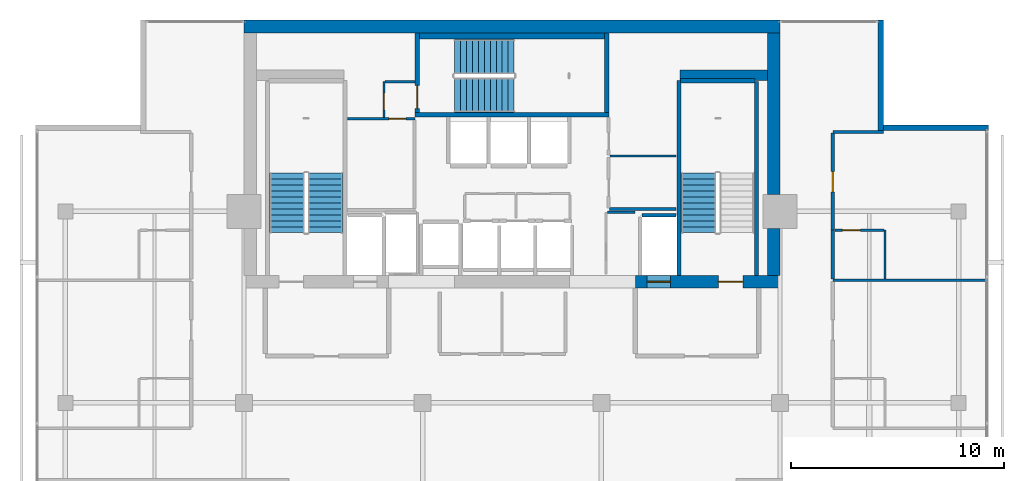
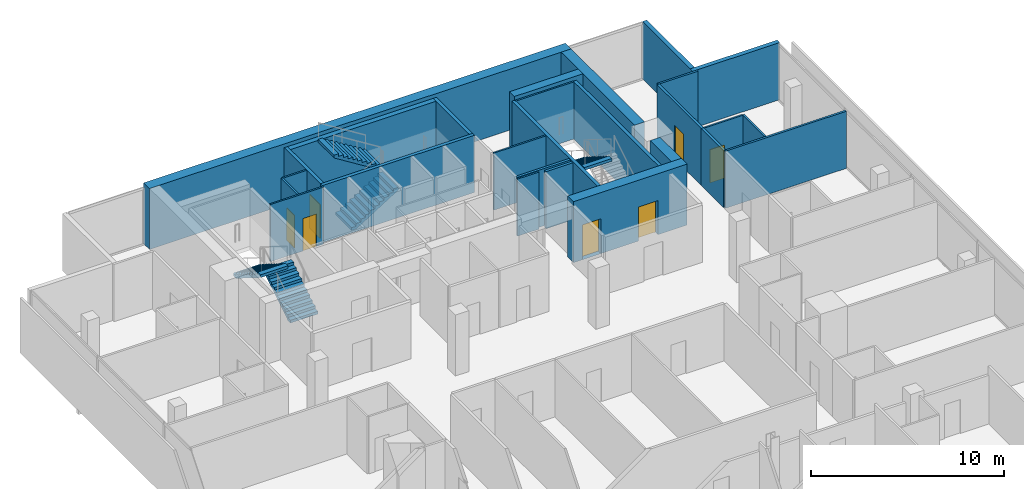
# One storey, part 23 of 26: 27 walls, 7 doors, 5 stair flights, 7 openings, 3 elements without a shape of their own.
"""IFC4 building model written with IfcOpenShell, lengths in metres."""

from ifc_helpers import new_model, si_unit, direction, frame, frame_2d, origin, place, context, subcontext, project, spatial, polyline, rectangle, outline, extrude, material, layer, layer_set, type_object, element, fill, aggregate, save


model = new_model("IFC4")

# Units and contexts
model_context = context("Model", 3, precision=1e-05, world=origin(), true_north=direction((0.0, 1.0)))
body_context = subcontext(model_context, "Body", "Model", "MODEL_VIEW")
ifc_project = project(units=[si_unit("LENGTHUNIT", "METRE"), si_unit("AREAUNIT", "SQUARE_METRE"), si_unit("VOLUMEUNIT", "CUBIC_METRE"), si_unit("PLANEANGLEUNIT", "RADIAN"), si_unit("MASSUNIT", "GRAM", prefix="KILO")], contexts=[model_context])

# Site, building, storey
site_placement = place(None, origin())
site = spatial("IfcSite", under=ifc_project, at=site_placement, CompositionType="ELEMENT")
building_placement = place(site_placement, origin())
building = spatial("IfcBuilding", under=site, at=building_placement, Name="Maruvema Waterfront Hotel and Observation Tower", CompositionType="ELEMENT")
storey_placement = place(building_placement, frame((0.0, 0.0, 266.35009765625)))
storey = spatial("IfcBuildingStorey", under=building, at=storey_placement, Name="L65", CompositionType="ELEMENT", Elevation=266.35009765625)

# Walls
ifc_material_1 = material(Name="Twin-stud acoustic gypsum drywall", Category="gypsum")
ifc_layer_1 = layer(ifc_material_1, 0.14990234375, Name="Acoustic Corridor and Suite Demising Wall 150 mm")
ifc_layer_set_1 = layer_set([ifc_layer_1], Name="Twin-stud acoustic gypsum drywall")
wall_type_1 = type_object("IfcWallType", Name="Acoustic Corridor and Suite Demising Wall 150 mm", PredefinedType="PARTITIONING", material=ifc_layer_set_1)
wall_1_placement = place(storey_placement, frame((42.3798828125, 45.1201171875, 0.0), z_axis=(0.0, 0.0, 1.0), x_axis=(1.0, 0.0, 0.0)))
element("IfcWall", 1, at=wall_1_placement, inside=storey, type_object=wall_type_1, Name="L65 Freed B2 South Wall 025", PredefinedType="PARTITIONING", context=body_context, shape_type="SweptSolid", body=[
    extrude(rectangle(XDim=3.14013671875, YDim=0.14990234375, at=frame_2d((1.570068359375, 0.0))), origin(), (0.0, 0.0, 1.0), 3.60986328125),
])
wall_2_placement = place(storey_placement, frame((52.8798828125, 41.82861328125, 0.0), z_axis=(0.0, 0.0, 1.0), x_axis=(0.0, 1.0, 0.0)))
element("IfcWall", 2, at=wall_2_placement, inside=storey, type_object=wall_type_1, Name="L65 Bath L65-NE2 Wall 107", PredefinedType="PARTITIONING", context=body_context, shape_type="SweptSolid", body=[
    extrude(rectangle(XDim=2.2900390625, YDim=0.14990234375, at=frame_2d((1.14501953125, 0.0))), origin(), (0.0, 0.0, 1.0), 3.60986328125),
])

# Wall, opening, door
wall_3_placement = place(storey_placement, frame((52.8798828125, 44.11865234375, 0.0), z_axis=(0.0, 0.0, 1.0), x_axis=(0.0, 1.0, 0.0)))
wall_3 = element("IfcWall", 3, at=wall_3_placement, inside=storey, type_object=wall_type_1, Name="L65 Room L65-NE2 Corridor Wall 108", PredefinedType="PARTITIONING", context=body_context, shape_type="SweptSolid", body=[
    extrude(rectangle(XDim=4.558837890625, YDim=0.14990234375, at=frame_2d((2.279296875, 0.0))), origin(), (0.0, 0.0, 1.0), 3.60986328125),
])
opening_1_placement = place(wall_3_placement, frame((1.804443359375, 0.0, 0.0)))
opening_1 = element("IfcOpeningElement", 4, at=opening_1_placement, cuts=wall_3, Name="Opening DR-095", PredefinedType="OPENING", context=body_context, shape_type="SweptSolid", body=[
    extrude(rectangle(XDim=0.949951171875, YDim=2.14990234375, at=frame_2d((0.47509765625, 1.074951171875))), frame((0.0, 0.0849609375, 0.0), z_axis=(0.0, -1.0, 0.0), x_axis=(1.0, 0.0, 0.0)), (0.0, 0.0, 1.0), 0.169921875),
])
ifc_material_2 = material(Name="Acoustic solid-core hardwood timber leaf", Category="wood")
door_type_1 = type_object("IfcDoorType", Name="Guestroom Entrance Fire Door 950x2150 mm", OperationType="NOTDEFINED", PredefinedType="DOOR", material=ifc_material_2)
door_1_placement = place(opening_1_placement, frame((0.949951171875, 0.0, 0.0), z_axis=(0.0, 0.0, 1.0), x_axis=(-1.0, 0.0, 0.0)))
door_1 = element("IfcDoor", 5, at=door_1_placement, inside=storey, type_object=door_type_1, Name="L65 Room L65-NE2 Entrance Door", OperationType="SINGLE_SWING_RIGHT", OverallHeight=2.14990234375, OverallWidth=0.949951171875, PredefinedType="DOOR", context=body_context, shape_type="SweptSolid", body=[
    extrude(rectangle(XDim=0.949951171875, YDim=2.14990234375, at=frame_2d((0.47509765625, 1.074951171875))), frame((0.0, 0.02490234375, 0.0), z_axis=(0.0, -1.0, 0.0), x_axis=(1.0, 0.0, 0.0)), (0.0, 0.0, 1.0), 0.050048828125),
])
fill(opening_1, door_1)

# Walls
ifc_material_3 = material(Name="Precast concrete C45/55", Category="concrete")
ifc_layer_2 = layer(ifc_material_3, 0.300048828125, Name="Core Shaft Furring Wall 300 mm")
ifc_layer_set_2 = layer_set([ifc_layer_2], Name="Precast concrete C45/55")
wall_type_2 = type_object("IfcWallType", Name="Core Shaft Furring Wall 300 mm", PredefinedType="SOLIDWALL", material=ifc_layer_set_2)
wall_4_placement = place(storey_placement, frame((33.449951171875, 53.25, 0.0), z_axis=(0.0, 0.0, 1.0), x_axis=(1.0, 0.0, 0.0)))
element("IfcWall", 6, at=wall_4_placement, inside=storey, type_object=wall_type_2, Name="L65 Stairwell ST-02 North Furring Wall", PredefinedType="SOLIDWALL", context=body_context, shape_type="SweptSolid", body=[
    extrude(rectangle(XDim=8.699951171875, YDim=0.300048828125, at=frame_2d((4.35009765625, 0.0))), origin(), (0.0, 0.0, 1.0), 3.60986328125),
])
ifc_material_4 = material(Name="Precast concrete C45/55", Category="concrete")
ifc_layer_3 = layer(ifc_material_4, 0.199951171875, Name="Core Shaft and Stairwell Enclosure Wall 200 mm")
ifc_layer_set_3 = layer_set([ifc_layer_3], Name="Precast concrete C45/55")
wall_type_3 = type_object("IfcWallType", Name="Core Shaft and Stairwell Enclosure Wall 200 mm", PredefinedType="SOLIDWALL", material=ifc_layer_set_3)
wall_5_placement = place(storey_placement, frame((33.25, 49.550048828125, 0.0), z_axis=(0.0, 0.0, 1.0), x_axis=(1.0, 0.0, 0.0)))
element("IfcWall", 7, at=wall_5_placement, inside=storey, type_object=wall_type_3, Name="L65 Stairwell ST-02 Shaft Wall", PredefinedType="SOLIDWALL", context=body_context, shape_type="SweptSolid", body=[
    extrude(rectangle(XDim=9.10009765625, YDim=0.199951171875, at=frame_2d((4.550048828125, 0.0))), origin(), (0.0, 0.0, 1.0), 3.60986328125),
])
wall_6_placement = place(storey_placement, frame((42.25, 49.64990234375, 0.0), z_axis=(0.0, 0.0, 1.0), x_axis=(0.0, 1.0, 0.0)))
element("IfcWall", 8, at=wall_6_placement, inside=storey, type_object=wall_type_3, Name="L65 Stairwell ST-02 Shaft Wall", PredefinedType="SOLIDWALL", context=body_context, shape_type="SweptSolid", body=[
    extrude(rectangle(XDim=3.75, YDim=0.199951171875, at=frame_2d((1.875, 0.0))), origin(), (0.0, 0.0, 1.0), 3.60986328125),
])

# Wall, opening, door
wall_7_placement = place(storey_placement, frame((33.35009765625, 49.64990234375, 0.0), z_axis=(0.0, 0.0, 1.0), x_axis=(0.0, 1.0, 0.0)))
wall_7 = element("IfcWall", 9, at=wall_7_placement, inside=storey, type_object=wall_type_3, Name="L65 Stairwell ST-02 Shaft Wall", PredefinedType="SOLIDWALL", context=body_context, shape_type="SweptSolid", body=[
    extrude(rectangle(XDim=3.75, YDim=0.199951171875, at=frame_2d((1.875, 0.0))), origin(), (0.0, 0.0, 1.0), 3.60986328125),
])
opening_2_placement = place(wall_7_placement, frame((0.179931640625, 0.0, 0.0)))
opening_2 = element("IfcOpeningElement", 10, at=opening_2_placement, cuts=wall_7, Name="Opening SD-02", PredefinedType="OPENING", context=body_context, shape_type="SweptSolid", body=[
    extrude(rectangle(XDim=1.10009765625, YDim=2.14990234375, at=frame_2d((0.550048828125, 1.074951171875))), frame((0.0, 0.10986328125, 0.0), z_axis=(0.0, -1.0, 0.0), x_axis=(1.0, 0.0, 0.0)), (0.0, 0.0, 1.0), 0.219970703125),
])
ifc_material_5 = material(Name="Fire-rated galvanised steel leaf", Category="steel")
door_type_2 = type_object("IfcDoorType", Name="Central Exit Stair Fire Door 1100x2150 mm", OperationType="NOTDEFINED", PredefinedType="DOOR", material=ifc_material_5)
door_2_placement = place(opening_2_placement, frame((1.10009765625, 0.0, 0.0), z_axis=(0.0, 0.0, 1.0), x_axis=(-1.0, 0.0, 0.0)))
door_2 = element("IfcDoor", 11, at=door_2_placement, inside=storey, type_object=door_type_2, Name="L65 Exit Stair ST-02 Fire Door", OperationType="SINGLE_SWING_LEFT", OverallHeight=2.14990234375, OverallWidth=1.10009765625, PredefinedType="DOOR", context=body_context, shape_type="SweptSolid", body=[
    extrude(rectangle(XDim=1.10009765625, YDim=2.14990234375, at=frame_2d((0.550048828125, 1.074951171875))), frame((0.0, 0.02490234375, 0.0), z_axis=(0.0, -1.0, 0.0), x_axis=(1.0, 0.0, 0.0)), (0.0, 0.0, 1.0), 0.050048828125),
])
fill(opening_2, door_2)

# Walls
wall_8_placement = place(storey_placement, frame((45.64990234375, 42.0, 0.0), z_axis=(0.0, 0.0, 1.0), x_axis=(0.0, 1.0, 0.0)))
element("IfcWall", 12, at=wall_8_placement, inside=storey, type_object=wall_type_3, Name="L65 Stairwell ST-03 West Shaft Wall", PredefinedType="SOLIDWALL", context=body_context, shape_type="SweptSolid", body=[
    extrude(rectangle(XDim=9.14990234375, YDim=0.199951171875, at=frame_2d((4.574951171875, 0.0))), origin(), (0.0, 0.0, 1.0), 3.60986328125),
])
wall_9_placement = place(storey_placement, frame((49.300048828125, 42.0, 0.0), z_axis=(0.0, 0.0, 1.0), x_axis=(0.0, 1.0, 0.0)))
element("IfcWall", 13, at=wall_9_placement, inside=storey, type_object=wall_type_3, Name="L65 Stairwell ST-03 Shaft Lining Wall", PredefinedType="SOLIDWALL", context=body_context, shape_type="SweptSolid", body=[
    extrude(rectangle(XDim=9.1201171875, YDim=0.199951171875, at=frame_2d((4.56005859375, 0.0))), origin(), (0.0, 0.0, 1.0), 3.60986328125),
])
wall_10_placement = place(storey_placement, frame((45.719970703125, 51.14990234375, 0.0), z_axis=(0.0, 0.0, 1.0), x_axis=(1.0, 0.0, 0.0)))
element("IfcWall", 14, at=wall_10_placement, inside=storey, type_object=wall_type_3, Name="L65 Stairwell ST-03 Shaft Lining Wall", PredefinedType="SOLIDWALL", context=body_context, shape_type="SweptSolid", body=[
    extrude(rectangle(XDim=3.5, YDim=0.199951171875, at=frame_2d((1.75, 0.0))), origin(), (0.0, 0.0, 1.0), 3.60986328125),
])
ifc_material_6 = material(Name="Concrete C70/85", Category="concrete")
ifc_layer_4 = layer(ifc_material_6, 0.5, Name="Core Shear Wall 500 mm")
ifc_layer_set_4 = layer_set([ifc_layer_4], Name="Concrete C70/85")
wall_type_4 = type_object("IfcWallType", Name="Core Shear Wall 500 mm", PredefinedType="SHEAR", material=ifc_layer_set_4)
wall_11_placement = place(storey_placement, frame((45.699951171875, 51.39990234375, 0.0), z_axis=(0.0, 0.0, 1.0), x_axis=(1.0, 0.0, 0.0)))
element("IfcWall", 15, at=wall_11_placement, inside=storey, type_object=wall_type_4, Name="L65 Internal Core Shear Wall NE 500 mm", PredefinedType="SHEAR", context=body_context, shape_type="SweptSolid", body=[
    extrude(rectangle(XDim=4.10009765625, YDim=0.5, at=frame_2d((2.050048828125, 0.0))), origin(), (0.0, 0.0, 1.0), 3.849853515625),
])
ifc_material_7 = material(Name="Concrete C60/75", Category="concrete")
ifc_layer_5 = layer(ifc_material_7, 0.60009765625, Name="Core Shear Wall 600 mm")
ifc_layer_set_5 = layer_set([ifc_layer_5], Name="Concrete C60/75")
wall_type_5 = type_object("IfcWallType", Name="Core Shear Wall 600 mm", PredefinedType="SHEAR", material=ifc_layer_set_5)
wall_12_placement = place(storey_placement, frame((25.199951171875, 53.699951171875, 0.0), z_axis=(0.0, 0.0, 1.0), x_axis=(1.0, 0.0, 0.0)))
element("IfcWall", 16, at=wall_12_placement, inside=storey, type_object=wall_type_5, Name="L65 North Core Shear Wall", PredefinedType="SHEAR", context=body_context, shape_type="SweptSolid", body=[
    extrude(rectangle(XDim=25.199951171875, YDim=0.60009765625, at=frame_2d((12.60009765625, 0.0))), origin(), (0.0, 0.0, 1.0), 3.849853515625),
])

# Wall, openings, doors
wall_13_placement = place(storey_placement, frame((43.60009765625, 41.699951171875, 0.0), z_axis=(0.0, 0.0, 1.0), x_axis=(1.0, 0.0, 0.0)))
wall_13 = element("IfcWall", 17, at=wall_13_placement, inside=storey, type_object=wall_type_5, Name="L65 South-East Core Shear Wall", PredefinedType="SHEAR", context=body_context, shape_type="SweptSolid", body=[
    extrude(rectangle(XDim=6.7998046875, YDim=0.60009765625, at=frame_2d((3.39990234375, 0.0))), origin(), (0.0, 0.0, 1.0), 3.849853515625),
])
opening_3_placement = place(wall_13_placement, frame((3.89990234375, 0.0, 0.0)))
opening_3 = element("IfcOpeningElement", 18, at=opening_3_placement, cuts=wall_13, Name="Opening SD-01", PredefinedType="OPENING", context=body_context, shape_type="SweptSolid", body=[
    extrude(rectangle(XDim=1.14990234375, YDim=2.14990234375, at=frame_2d((0.574951171875, 1.074951171875))), frame((0.0, 0.31005859375, 0.0), z_axis=(0.0, -1.0, 0.0), x_axis=(1.0, 0.0, 0.0)), (0.0, 0.0, 1.0), 0.6201171875),
])
opening_4_placement = place(wall_13_placement, frame((0.550048828125, 0.0, 0.0)))
opening_4 = element("IfcOpeningElement", 19, at=opening_4_placement, cuts=wall_13, Name="Opening LD-03", PredefinedType="OPENING", context=body_context, shape_type="SweptSolid", body=[
    extrude(rectangle(XDim=1.10009765625, YDim=2.199951171875, at=frame_2d((0.550048828125, 1.10009765625))), frame((0.0, 0.31005859375, 0.0), z_axis=(0.0, -1.0, 0.0), x_axis=(1.0, 0.0, 0.0)), (0.0, 0.0, 1.0), 0.6201171875),
])
ifc_material_8 = material(Name="Fire-rated galvanised steel leaf", Category="steel")
door_type_3 = type_object("IfcDoorType", Name="Exit Stair Fire Door 1150x2150 mm", OperationType="NOTDEFINED", PredefinedType="DOOR", material=ifc_material_8)
door_3_placement = place(opening_3_placement, origin())
door_3 = element("IfcDoor", 20, at=door_3_placement, inside=storey, type_object=door_type_3, Name="L65 Exit Stair ST-03 Fire Door", OperationType="SINGLE_SWING_RIGHT", OverallHeight=2.14990234375, OverallWidth=1.14990234375, PredefinedType="DOOR", context=body_context, shape_type="SweptSolid", body=[
    extrude(rectangle(XDim=1.14990234375, YDim=2.14990234375, at=frame_2d((0.574951171875, 1.074951171875))), frame((0.0, 0.02490234375, 0.0), z_axis=(0.0, -1.0, 0.0), x_axis=(1.0, 0.0, 0.0)), (0.0, 0.0, 1.0), 0.050048828125),
])
fill(opening_3, door_3)
ifc_material_9 = material(Name="Brushed stainless steel Grade 316", Category="steel")
door_type_4 = type_object("IfcDoorType", Name="Firefighting Lift Sliding Landing Door 1100x2200 mm", OperationType="SLIDING_TO_LEFT", PredefinedType="DOOR", material=ifc_material_9)
door_4_placement = place(opening_4_placement, frame((1.10009765625, 0.0, 0.0), z_axis=(0.0, 0.0, 1.0), x_axis=(-1.0, 0.0, 0.0)))
door_4 = element("IfcDoor", 21, at=door_4_placement, inside=storey, type_object=door_type_4, Name="L65 Firefighting Lift FL-02 Landing Door", OperationType="SLIDING_TO_LEFT", OverallHeight=2.199951171875, OverallWidth=1.10009765625, PredefinedType="DOOR", context=body_context, shape_type="SweptSolid", body=[
    extrude(rectangle(XDim=1.10009765625, YDim=2.199951171875, at=frame_2d((0.550048828125, 1.10009765625))), frame((0.0, 0.02490234375, 0.0), z_axis=(0.0, -1.0, 0.0), x_axis=(1.0, 0.0, 0.0)), (0.0, 0.0, 1.0), 0.050048828125),
])
fill(opening_4, door_4)

# Walls
wall_14_placement = place(storey_placement, frame((50.10009765625, 42.0, 0.0), z_axis=(0.0, 0.0, 1.0), x_axis=(0.0, 1.0, 0.0)))
element("IfcWall", 22, at=wall_14_placement, inside=storey, type_object=wall_type_5, Name="L65 East-South Core Shear Wall", PredefinedType="SHEAR", context=body_context, shape_type="SweptSolid", body=[
    extrude(rectangle(XDim=2.199951171875, YDim=0.60009765625, at=frame_2d((1.10009765625, 0.0))), origin(), (0.0, 0.0, 1.0), 3.849853515625),
])
wall_15_placement = place(storey_placement, frame((50.10009765625, 45.800048828125, 0.0), z_axis=(0.0, 0.0, 1.0), x_axis=(0.0, 1.0, 0.0)))
element("IfcWall", 23, at=wall_15_placement, inside=storey, type_object=wall_type_5, Name="L65 East-North Core Shear Wall", PredefinedType="SHEAR", context=body_context, shape_type="SweptSolid", body=[
    extrude(rectangle(XDim=7.599853515625, YDim=0.60009765625, at=frame_2d((3.7998046875, 0.0))), origin(), (0.0, 0.0, 1.0), 3.849853515625),
])
ifc_material_10 = material(Name="Moisture-resistant cement-board drywall", Category="gypsum")
ifc_layer_6 = layer(ifc_material_10, 0.10009765625, Name="En-Suite Moisture-Resistant Partition 100 mm")
ifc_layer_set_6 = layer_set([ifc_layer_6], Name="Moisture-resistant cement-board drywall")
wall_type_6 = type_object("IfcWallType", Name="En-Suite Moisture-Resistant Partition 100 mm", PredefinedType="PARTITIONING", material=ifc_layer_set_6)
wall_16_placement = place(storey_placement, frame((42.280029296875, 44.9599609375, 0.0), z_axis=(0.0, 0.0, 1.0), x_axis=(1.0, 0.0, 0.0)))
element("IfcWall", 24, at=wall_16_placement, inside=storey, type_object=wall_type_6, Name="L65 Core Closet K2C North 016", PredefinedType="PARTITIONING", context=body_context, shape_type="SweptSolid", body=[
    extrude(rectangle(XDim=1.300048828125, YDim=0.10009765625, at=frame_2d((0.64990234375, 0.0))), origin(), (0.0, 0.0, 1.0), 3.60986328125),
])

# Wall, opening, door
wall_17_placement = place(storey_placement, frame((30.06005859375, 49.360107421875, 0.0), z_axis=(0.0, 0.0, 1.0), x_axis=(1.0, 0.0, 0.0)))
wall_17 = element("IfcWall", 25, at=wall_17_placement, inside=storey, type_object=wall_type_6, Name="L65 Freed B1 Mid Wall 019", PredefinedType="PARTITIONING", context=body_context, shape_type="SweptSolid", body=[
    extrude(rectangle(XDim=3.179931640625, YDim=0.10009765625, at=frame_2d((1.58984375, 0.0))), origin(), (0.0, 0.0, 1.0), 3.60986328125),
])
opening_5_placement = place(wall_17_placement, frame((1.949951171875, 0.0, 0.0)))
opening_5 = element("IfcOpeningElement", 26, at=opening_5_placement, cuts=wall_17, Name="Opening DR-080", PredefinedType="OPENING", context=body_context, shape_type="SweptSolid", body=[
    extrude(rectangle(XDim=0.800048828125, YDim=2.050048828125, at=frame_2d((0.39990234375, 1.02490234375))), frame((0.0, 0.06005859375, 0.0), z_axis=(0.0, -1.0, 0.0), x_axis=(1.0, 0.0, 0.0)), (0.0, 0.0, 1.0), 0.1201171875),
])
ifc_material_11 = material(Name="Powder-coated steel access leaf", Category="steel")
door_type_5 = type_object("IfcDoorType", Name="Riser and Service Cupboard Door 800x2050 mm", OperationType="NOTDEFINED", PredefinedType="DOOR", material=ifc_material_11)
door_5_placement = place(opening_5_placement, origin())
door_5 = element("IfcDoor", 27, at=door_5_placement, inside=storey, type_object=door_type_5, Name="L65 Housekeeping and Linen Room Door", OperationType="SINGLE_SWING_LEFT", OverallHeight=2.050048828125, OverallWidth=0.800048828125, PredefinedType="DOOR", context=body_context, shape_type="SweptSolid", body=[
    extrude(rectangle(XDim=0.800048828125, YDim=2.050048828125, at=frame_2d((0.39990234375, 1.02490234375))), frame((0.0, 0.02490234375, 0.0), z_axis=(0.0, -1.0, 0.0), x_axis=(1.0, 0.0, 0.0)), (0.0, 0.0, 1.0), 0.050048828125),
])
fill(opening_5, door_5)

wall_18_placement = place(storey_placement, frame((31.780029296875, 49.419921875, 0.0), z_axis=(0.0, 0.0, 1.0), x_axis=(0.0, 1.0, 0.0)))
wall_18 = element("IfcWall", 28, at=wall_18_placement, inside=storey, type_object=wall_type_6, Name="L65 Freed B1 NW East Wall 020", PredefinedType="PARTITIONING", context=body_context, shape_type="SweptSolid", body=[
    extrude(rectangle(XDim=1.68017578125, YDim=0.10009765625, at=frame_2d((0.840087890625, 0.0))), origin(), (0.0, 0.0, 1.0), 3.60986328125),
])
opening_6_placement = place(wall_18_placement, frame((0.35009765625, 0.0, 0.0)))
opening_6 = element("IfcOpeningElement", 29, at=opening_6_placement, cuts=wall_18, Name="Opening DR-080", PredefinedType="OPENING", context=body_context, shape_type="SweptSolid", body=[
    extrude(rectangle(XDim=0.800048828125, YDim=2.050048828125, at=frame_2d((0.39990234375, 1.02490234375))), frame((0.0, 0.06005859375, 0.0), z_axis=(0.0, -1.0, 0.0), x_axis=(1.0, 0.0, 0.0)), (0.0, 0.0, 1.0), 0.1201171875),
])
door_6_placement = place(opening_6_placement, origin())
door_6 = element("IfcDoor", 30, at=door_6_placement, inside=storey, type_object=door_type_5, Name="L65 Guest Floor Pantry Door", OperationType="SINGLE_SWING_RIGHT", OverallHeight=2.050048828125, OverallWidth=0.800048828125, PredefinedType="DOOR", context=body_context, shape_type="SweptSolid", body=[
    extrude(rectangle(XDim=0.800048828125, YDim=2.050048828125, at=frame_2d((0.39990234375, 1.02490234375))), frame((0.0, 0.02490234375, 0.0), z_axis=(0.0, -1.0, 0.0), x_axis=(1.0, 0.0, 0.0)), (0.0, 0.0, 1.0), 0.050048828125),
])
fill(opening_6, door_6)

# Walls
wall_19_placement = place(storey_placement, frame((31.820068359375, 51.10009765625, 0.0), z_axis=(0.0, 0.0, 1.0), x_axis=(1.0, 0.0, 0.0)))
element("IfcWall", 31, at=wall_19_placement, inside=storey, type_object=wall_type_6, Name="L65 Freed B1 Vestibule North Wall 021", PredefinedType="PARTITIONING", context=body_context, shape_type="SweptSolid", body=[
    extrude(rectangle(XDim=1.419921875, YDim=0.10009765625, at=frame_2d((0.7099609375, 0.0))), origin(), (0.0, 0.0, 1.0), 3.60986328125),
])
wall_20_placement = place(storey_placement, frame((42.39990234375, 47.60009765625, 0.0), z_axis=(0.0, 0.0, 1.0), x_axis=(1.0, 0.0, 0.0)))
element("IfcWall", 32, at=wall_20_placement, inside=storey, type_object=wall_type_6, Name="L65 Freed B2 Split 024", PredefinedType="PARTITIONING", context=body_context, shape_type="SweptSolid", body=[
    extrude(rectangle(XDim=3.10009765625, YDim=0.10009765625, at=frame_2d((1.550048828125, 0.0))), origin(), (0.0, 0.0, 1.0), 3.60986328125),
])
wall_21_placement = place(storey_placement, frame((55.330078125, 41.82861328125, 0.0), z_axis=(0.0, 0.0, 1.0), x_axis=(0.0, 1.0, 0.0)))
element("IfcWall", 33, at=wall_21_placement, inside=storey, type_object=wall_type_6, Name="L65 En-Suite L65-NE2 E 109", PredefinedType="PARTITIONING", context=body_context, shape_type="SweptSolid", body=[
    extrude(rectangle(XDim=2.2900390625, YDim=0.10009765625, at=frame_2d((1.14501953125, 0.0))), origin(), (0.0, 0.0, 1.0), 3.60986328125),
])

# Wall, opening, door
wall_22_placement = place(storey_placement, frame((52.97998046875, 44.11865234375, 0.0), z_axis=(0.0, 0.0, 1.0), x_axis=(1.0, 0.0, 0.0)))
wall_22 = element("IfcWall", 34, at=wall_22_placement, inside=storey, type_object=wall_type_6, Name="L65 En-Suite L65-NE2 N 110", PredefinedType="PARTITIONING", context=body_context, shape_type="SweptSolid", body=[
    extrude(rectangle(XDim=2.300048828125, YDim=0.10009765625, at=frame_2d((1.14990234375, 0.0))), origin(), (0.0, 0.0, 1.0), 3.60986328125),
])
opening_7_placement = place(wall_22_placement, frame((0.35009765625, 0.0, 0.0)))
opening_7 = element("IfcOpeningElement", 35, at=opening_7_placement, cuts=wall_22, Name="Opening DR-085", PredefinedType="OPENING", context=body_context, shape_type="SweptSolid", body=[
    extrude(rectangle(XDim=0.85009765625, YDim=2.10009765625, at=frame_2d((0.425048828125, 1.050048828125))), frame((0.0, 0.06005859375, 0.0), z_axis=(0.0, -1.0, 0.0), x_axis=(1.0, 0.0, 0.0)), (0.0, 0.0, 1.0), 0.1201171875),
])
ifc_material_12 = material(Name="Moisture-resistant solid timber leaf", Category="wood")
door_type_6 = type_object("IfcDoorType", Name="En-Suite Bathroom Door 850x2100 mm", OperationType="NOTDEFINED", PredefinedType="DOOR", material=ifc_material_12)
door_7_placement = place(opening_7_placement, origin())
door_7 = element("IfcDoor", 36, at=door_7_placement, inside=storey, type_object=door_type_6, Name="L65 En-Suite L65-NE2 Door", OperationType="SINGLE_SWING_LEFT", OverallHeight=2.10009765625, OverallWidth=0.85009765625, PredefinedType="DOOR", context=body_context, shape_type="SweptSolid", body=[
    extrude(rectangle(XDim=0.85009765625, YDim=2.10009765625, at=frame_2d((0.425048828125, 1.050048828125))), frame((0.0, 0.02490234375, 0.0), z_axis=(0.0, -1.0, 0.0), x_axis=(1.0, 0.0, 0.0)), (0.0, 0.0, 1.0), 0.050048828125),
])
fill(opening_7, door_7)

# Walls
ifc_material_13 = material(Name="Precast concrete C45/55 with honed Pernambuco granite facing", Category="masonry")
ifc_layer_7 = layer(ifc_material_13, 0.260009765625, Name="Exterior Granite Clad Spandrel and Pier Wall 260 mm")
ifc_layer_set_7 = layer_set([ifc_layer_7], Name="Precast concrete C45/55 with honed Pernambuco granite facing")
wall_type_7 = type_object("IfcWallType", Name="Exterior Granite Clad Spandrel and Pier Wall 260 mm", PredefinedType="SOLIDWALL", material=ifc_layer_set_7)
for number, where, z_axis, x_axis, name in (
    (37, (55.1298828125, 54.0, 0.0), (0.0, 0.0, 1.0), (0.0, -1.0, 0.0), "L65 Corner Notch Granite Pier Wall NE1"),
    (38, (55.0, 48.929931640625, 0.0), (0.0, 0.0, 1.0), (1.0, 0.0, 0.0), "L65 Corner Notch Granite Pier Wall NE2"),
):
    element("IfcWall", number, at=place(storey_placement, frame(where, z_axis=z_axis, x_axis=x_axis)), inside=storey, type_object=wall_type_7, Name=name, PredefinedType="SOLIDWALL", context=body_context, shape_type="SweptSolid", body=[
        extrude(rectangle(XDim=5.199951171875, YDim=0.260009765625, at=frame_2d((2.60009765625, 0.0))), origin(), (0.0, 0.0, 1.0), 3.60986328125),
    ])
ifc_material_14 = material(Name="Acoustic gypsum plasterboard drywall", Category="gypsum")
ifc_layer_8 = layer(ifc_material_14, 0.125, Name="Guestroom Acoustic Demising Wall 125 mm")
ifc_layer_set_8 = layer_set([ifc_layer_8], Name="Acoustic gypsum plasterboard drywall")
wall_type_8 = type_object("IfcWallType", Name="Guestroom Acoustic Demising Wall 125 mm", PredefinedType="PARTITIONING", material=ifc_layer_set_8)
wall_23_placement = place(storey_placement, frame((52.8798828125, 48.737548828125, 0.0), z_axis=(0.0, 0.0, 1.0), x_axis=(1.0, 0.0, 0.0)))
element("IfcWall", 39, at=wall_23_placement, inside=storey, type_object=wall_type_8, Name="L65 Z3 NE Top End 092", PredefinedType="PARTITIONING", context=body_context, shape_type="SweptSolid", body=[
    extrude(rectangle(XDim=2.380126953125, YDim=0.125, at=frame_2d((1.18994140625, 0.0))), origin(), (0.0, 0.0, 1.0), 3.60986328125),
])
wall_24_placement = place(storey_placement, frame((52.8798828125, 41.768798828125, 0.0), z_axis=(0.0, 0.0, 1.0), x_axis=(1.0, 0.0, 0.0)))
element("IfcWall", 40, at=wall_24_placement, inside=storey, type_object=wall_type_8, Name="L65 Z3 NE Demising 2 102", PredefinedType="PARTITIONING", context=body_context, shape_type="SweptSolid", body=[
    extrude(rectangle(XDim=7.22021484375, YDim=0.125, at=frame_2d((3.610107421875, 0.0))), origin(), (0.0, 0.0, 1.0), 3.60986328125),
])
ifc_material_15 = material(Name="Precast concrete C45/55", Category="concrete")
ifc_layer_9 = layer(ifc_material_15, 0.159912109375, Name="Lift Hoistway Divider Wall 160 mm")
ifc_layer_set_9 = layer_set([ifc_layer_9], Name="Precast concrete C45/55")
wall_type_9 = type_object("IfcWallType", Name="Lift Hoistway Divider Wall 160 mm", PredefinedType="SOLIDWALL", material=ifc_layer_set_9)
wall_25_placement = place(storey_placement, frame((43.89990234375, 44.830078125, 0.0), z_axis=(0.0, 0.0, 1.0), x_axis=(1.0, 0.0, 0.0)))
element("IfcWall", 41, at=wall_25_placement, inside=storey, type_object=wall_type_9, Name="L65 Lift FL-02 Rear Hoistway Wall", PredefinedType="SOLIDWALL", context=body_context, shape_type="SweptSolid", body=[
    extrude(rectangle(XDim=1.60009765625, YDim=0.159912109375, at=frame_2d((0.800048828125, 0.0))), origin(), (0.0, 0.0, 1.0), 3.60986328125),
])

# Stair, stair flights
ifc_material_16 = material(Name="Concrete C50/60", Category="concrete")
stair_type = type_object("IfcStairType", Name="Dogleg Exit Stair 1650 mm (22R x 175.0 mm)", PredefinedType="HALF_TURN_STAIR", material=ifc_material_16)
stair_1_placement = place(storey_placement, origin())
stair_1 = element("IfcStair", 42, at=stair_1_placement, inside=storey, type_object=stair_type, Name="L65 ST-01", PredefinedType="HALF_TURN_STAIR")
ifc_material_17 = material(Name="Concrete C50/60", Category="concrete")
stair_flight_type = type_object("IfcStairFlightType", Name="Reinforced Concrete Stair Flight 1650 mm (11R x 175.0 mm)", PredefinedType="STRAIGHT", material=ifc_material_17)
stair_flight_1_placement = place(storey_placement, frame((29.02490234375, 44.0, 0.0), z_axis=(0.0, 0.0, 1.0), x_axis=(0.0, 1.0, 0.0)))
stair_flight_1 = element("IfcStairFlight", 43, at=stair_flight_1_placement, type_object=stair_flight_type, Name="ST-01 flight 1", NumberOfRisers=11, NumberOfTreads=10, PredefinedType="STRAIGHT", RiserHeight=0.175, TreadLength=0.28, context=body_context, shape_type="SweptSolid", body=[
    extrude(outline(polyline([(0.0, 0.0), (0.0, 0.175048828125), (0.280029296875, 0.175048828125), (0.280029296875, 0.35009765625), (0.56005859375, 0.35009765625), (0.56005859375, 0.52490234375), (0.840087890625, 0.52490234375), (0.840087890625, 0.699951171875), (1.1201171875, 0.699951171875), (1.1201171875, 0.875), (1.39990234375, 0.875), (1.39990234375, 1.050048828125), (1.679931640625, 1.050048828125), (1.679931640625, 1.22509765625), (1.9599609375, 1.22509765625), (1.9599609375, 1.39990234375), (2.239990234375, 1.39990234375), (2.239990234375, 1.574951171875), (2.52001953125, 1.574951171875), (2.52001953125, 1.75), (2.800048828125, 1.75), (2.800048828125, 1.925048828125), (2.800048828125, 1.5732421875), (0.28271484375, 0.0), (0.0, 0.0)])), frame((0.0, 0.824951171875, 0.0), z_axis=(0.0, -1.0, 0.0), x_axis=(1.0, 0.0, 0.0)), (0.0, 0.0, 1.0), 1.64990234375),
])
stair_flight_2_placement = place(storey_placement, frame((27.22509765625, 46.800048828125, 1.9248046875), z_axis=(0.0, 0.0, 1.0), x_axis=(0.0, -1.0, 0.0)))
stair_flight_2 = element("IfcStairFlight", 44, at=stair_flight_2_placement, type_object=stair_flight_type, Name="ST-01 flight 2", NumberOfRisers=11, NumberOfTreads=10, PredefinedType="STRAIGHT", RiserHeight=0.175, TreadLength=0.28, context=body_context, shape_type="SweptSolid", body=[
    extrude(outline(polyline([(0.0, 0.0), (0.0, 0.175048828125), (0.280029296875, 0.175048828125), (0.280029296875, 0.35009765625), (0.56005859375, 0.35009765625), (0.56005859375, 0.52490234375), (0.840087890625, 0.52490234375), (0.840087890625, 0.699951171875), (1.1201171875, 0.699951171875), (1.1201171875, 0.875), (1.39990234375, 0.875), (1.39990234375, 1.050048828125), (1.679931640625, 1.050048828125), (1.679931640625, 1.22509765625), (1.9599609375, 1.22509765625), (1.9599609375, 1.39990234375), (2.239990234375, 1.39990234375), (2.239990234375, 1.574951171875), (2.52001953125, 1.574951171875), (2.52001953125, 1.75), (2.800048828125, 1.75), (2.800048828125, 1.925048828125), (2.800048828125, 1.5732421875), (0.28271484375, 0.0), (0.0, 0.0)])), frame((0.0, 0.824951171875, 0.0), z_axis=(0.0, -1.0, 0.0), x_axis=(1.0, 0.0, 0.0)), (0.0, 0.0, 1.0), 1.64990234375),
])
aggregate(stair_1, [stair_flight_1, stair_flight_2])

stair_2_placement = place(storey_placement, origin())
stair_2 = element("IfcStair", 45, at=stair_2_placement, inside=storey, type_object=stair_type, Name="L65 ST-02", PredefinedType="HALF_TURN_STAIR")
stair_flight_3_placement = place(storey_placement, frame((35.10009765625, 50.47509765625, 0.0), z_axis=(0.0, 0.0, 1.0), x_axis=(1.0, 0.0, 0.0)))
stair_flight_3 = element("IfcStairFlight", 46, at=stair_flight_3_placement, type_object=stair_flight_type, Name="ST-02 flight 1", NumberOfRisers=11, NumberOfTreads=10, PredefinedType="STRAIGHT", RiserHeight=0.175, TreadLength=0.28, context=body_context, shape_type="SweptSolid", body=[
    extrude(outline(polyline([(0.0, 0.0), (0.0, 0.175048828125), (0.280029296875, 0.175048828125), (0.280029296875, 0.35009765625), (0.56005859375, 0.35009765625), (0.56005859375, 0.52490234375), (0.840087890625, 0.52490234375), (0.840087890625, 0.699951171875), (1.1201171875, 0.699951171875), (1.1201171875, 0.875), (1.39990234375, 0.875), (1.39990234375, 1.050048828125), (1.679931640625, 1.050048828125), (1.679931640625, 1.22509765625), (1.9599609375, 1.22509765625), (1.9599609375, 1.39990234375), (2.239990234375, 1.39990234375), (2.239990234375, 1.574951171875), (2.52001953125, 1.574951171875), (2.52001953125, 1.75), (2.800048828125, 1.75), (2.800048828125, 1.925048828125), (2.800048828125, 1.5732421875), (0.28271484375, 0.0), (0.0, 0.0)])), frame((0.0, 0.824951171875, 0.0), z_axis=(0.0, -1.0, 0.0), x_axis=(1.0, 0.0, 0.0)), (0.0, 0.0, 1.0), 1.64990234375),
])
stair_flight_4_placement = place(storey_placement, frame((37.89990234375, 52.27490234375, 1.9248046875), z_axis=(0.0, 0.0, 1.0), x_axis=(-1.0, 0.0, 0.0)))
stair_flight_4 = element("IfcStairFlight", 47, at=stair_flight_4_placement, type_object=stair_flight_type, Name="ST-02 flight 2", NumberOfRisers=11, NumberOfTreads=10, PredefinedType="STRAIGHT", RiserHeight=0.175, TreadLength=0.28, context=body_context, shape_type="SweptSolid", body=[
    extrude(outline(polyline([(0.0, 0.0), (0.0, 0.175048828125), (0.280029296875, 0.175048828125), (0.280029296875, 0.35009765625), (0.56005859375, 0.35009765625), (0.56005859375, 0.52490234375), (0.840087890625, 0.52490234375), (0.840087890625, 0.699951171875), (1.1201171875, 0.699951171875), (1.1201171875, 0.875), (1.39990234375, 0.875), (1.39990234375, 1.050048828125), (1.679931640625, 1.050048828125), (1.679931640625, 1.22509765625), (1.9599609375, 1.22509765625), (1.9599609375, 1.39990234375), (2.239990234375, 1.39990234375), (2.239990234375, 1.574951171875), (2.52001953125, 1.574951171875), (2.52001953125, 1.75), (2.800048828125, 1.75), (2.800048828125, 1.925048828125), (2.800048828125, 1.5732421875), (0.28271484375, 0.0), (0.0, 0.0)])), frame((0.0, 0.824951171875, 0.0), z_axis=(0.0, -1.0, 0.0), x_axis=(1.0, 0.0, 0.0)), (0.0, 0.0, 1.0), 1.64990234375),
])
aggregate(stair_2, [stair_flight_3, stair_flight_4])

# Stair, stair flight
stair_3_placement = place(storey_placement, origin())
stair_3 = element("IfcStair", 48, at=stair_3_placement, inside=storey, type_object=stair_type, Name="L65 ST-03", PredefinedType="HALF_TURN_STAIR")
stair_flight_5_placement = place(storey_placement, frame((46.574951171875, 46.800048828125, 1.9248046875), z_axis=(0.0, 0.0, 1.0), x_axis=(0.0, -1.0, 0.0)))
stair_flight_5 = element("IfcStairFlight", 49, at=stair_flight_5_placement, type_object=stair_flight_type, Name="ST-03 flight 2", NumberOfRisers=11, NumberOfTreads=10, PredefinedType="STRAIGHT", RiserHeight=0.175, TreadLength=0.28, context=body_context, shape_type="SweptSolid", body=[
    extrude(outline(polyline([(0.0, 0.0), (0.0, 0.175048828125), (0.280029296875, 0.175048828125), (0.280029296875, 0.35009765625), (0.56005859375, 0.35009765625), (0.56005859375, 0.52490234375), (0.840087890625, 0.52490234375), (0.840087890625, 0.699951171875), (1.1201171875, 0.699951171875), (1.1201171875, 0.875), (1.39990234375, 0.875), (1.39990234375, 1.050048828125), (1.679931640625, 1.050048828125), (1.679931640625, 1.22509765625), (1.9599609375, 1.22509765625), (1.9599609375, 1.39990234375), (2.239990234375, 1.39990234375), (2.239990234375, 1.574951171875), (2.52001953125, 1.574951171875), (2.52001953125, 1.75), (2.800048828125, 1.75), (2.800048828125, 1.925048828125), (2.800048828125, 1.5732421875), (0.28271484375, 0.0), (0.0, 0.0)])), frame((0.0, 0.824951171875, 0.0), z_axis=(0.0, -1.0, 0.0), x_axis=(1.0, 0.0, 0.0)), (0.0, 0.0, 1.0), 1.64990234375),
])
aggregate(stair_3, [stair_flight_5])

save(model, "model.ifc")
